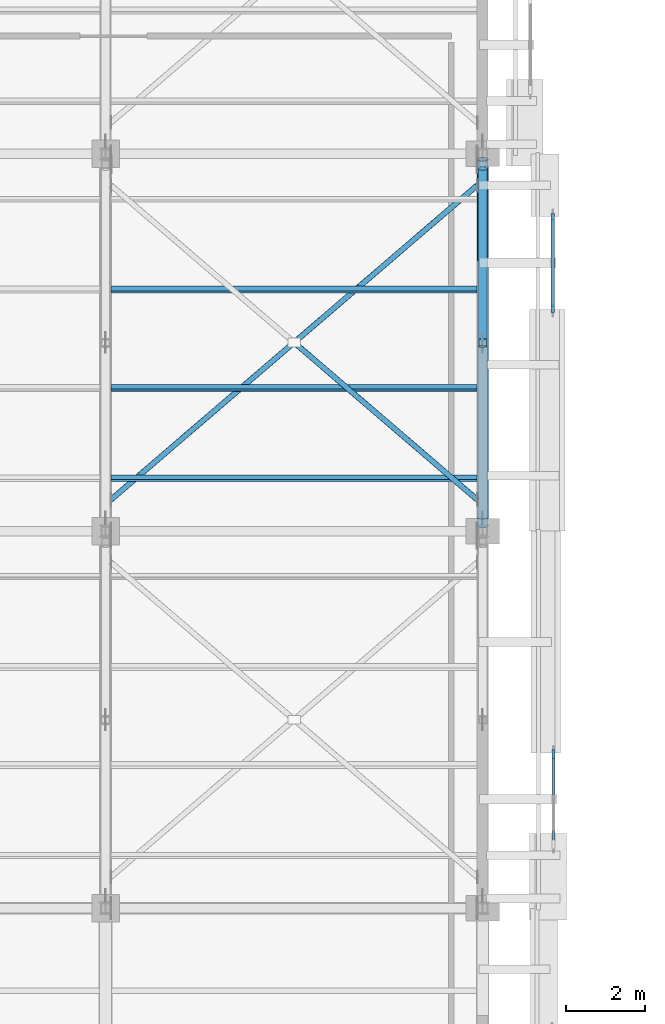
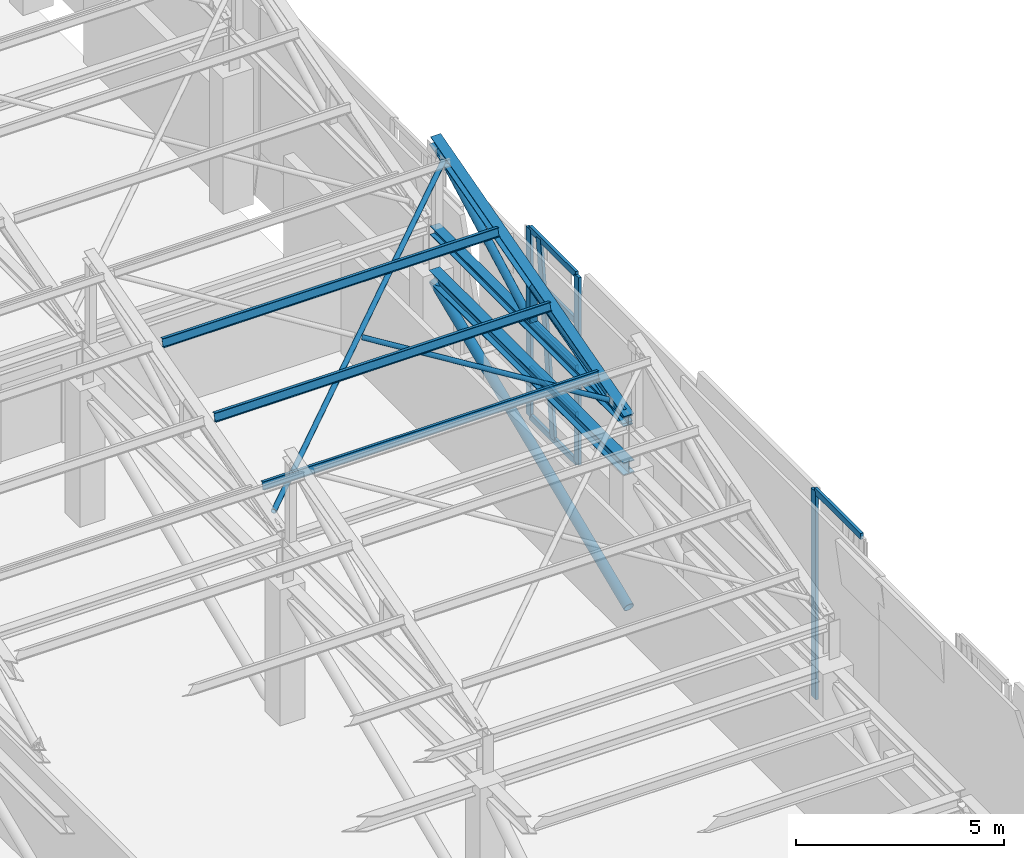
# One storey, part 20 of 71: 22 members, 2 elements without a shape of their own.
"""IFC4 building model written with IfcOpenShell, lengths in metres."""

from ifc_helpers import new_model, si_unit, direction, frame, origin, origin_2d, place, context, subcontext, project, spatial, rectangle, hollow_rectangle, hollow_circle, i_section, extrude, material, layer, layer_set, material_profile, profile_set, type_object, element, aggregate, save


model = new_model("IFC4")

# Units and contexts
model_context = context("Model", 3, precision=1e-05, world=origin(), true_north=direction((0.0, 1.0)))
body_context = subcontext(model_context, "Body", "Model", "MODEL_VIEW")
ifc_project = project(units=[si_unit("LENGTHUNIT", "METRE"), si_unit("AREAUNIT", "SQUARE_METRE"), si_unit("VOLUMEUNIT", "CUBIC_METRE"), si_unit("PLANEANGLEUNIT", "RADIAN"), si_unit("MASSUNIT", "GRAM", prefix="KILO")], contexts=[model_context])

# Site, building, storey
site_placement = place(None, origin())
site = spatial("IfcSite", under=ifc_project, at=site_placement, CompositionType="ELEMENT")
building_placement = place(site_placement, origin())
building = spatial("IfcBuilding", under=site, at=building_placement, Name="Bempovik Park Faculty of Sciences", CompositionType="ELEMENT")
storey_placement = place(building_placement, frame((0.0, 0.0, 14.10009765625)))
storey = spatial("IfcBuildingStorey", under=building, at=storey_placement, Name="L03", CompositionType="ELEMENT", Elevation=14.10009765625)

# Members
ifc_material_1 = material(Name="Steel S355", Category="steel")
ifc_material_profile_1 = material_profile(ifc_material_1, i_section(OverallWidth=0.110107421875, OverallDepth=0.219970703125, WebThickness=0.005859375, FlangeThickness=0.00927734375, at=origin_2d()), Name="IPE 220")
ifc_profile_set_1 = profile_set([ifc_material_profile_1], Name="Steel S355")
member_type_1 = type_object("IfcMemberType", Name="M-18 IPE 220", PredefinedType="PURLIN", material=ifc_profile_set_1)
member_1_placement = place(storey_placement, frame((108.14599609375, 30.743896484375, 5.847412109375), z_axis=(1.0, 0.0, 0.0), x_axis=(0.0, 0.965925826289, -0.258819045103)))
element("IfcMember", 1, at=member_1_placement, inside=storey, type_object=member_type_1, Name="Sawtooth Roof Purlin V1-B2 (108.0-117.6) #1", PredefinedType="PURLIN", context=body_context, shape_type="SweptSolid", body=[
    extrude(i_section(OverallWidth=0.110107421875, OverallDepth=0.219970703125, WebThickness=0.005859375, FlangeThickness=0.00927734375, at=origin_2d()), origin(), (0.0, 0.0, 1.0), 9.30810546875),
])
ifc_material_profile_2 = material_profile(ifc_material_1, hollow_circle(Radius=0.109619140625, WallThickness=0.010009765625, at=origin_2d()), Name="CHS 219.1x10")
ifc_profile_set_2 = profile_set([ifc_material_profile_2], Name="Steel S355")
member_type_2 = type_object("IfcMemberType", Name="M-22 CHS 219.1x10", PredefinedType="BRACE", material=ifc_profile_set_2)
member_2_placement = place(storey_placement, frame((117.60009765625, 34.304931640625, 5.285888671875), z_axis=(0.0, 0.882187464719, 0.470898372361), x_axis=(-1.0, 0.0, 0.0)))
element("IfcMember", 2, at=member_2_placement, inside=storey, type_object=member_type_2, Name="Sawtooth Web Diagonal 2 V1-B2 (117.6)", PredefinedType="BRACE", context=body_context, shape_type="SweptSolid", body=[
    extrude(hollow_circle(Radius=0.109619140625, WallThickness=0.010009765625, at=origin_2d()), origin(), (0.0, 0.0, 1.0), 4.902587890625),
])
ifc_material_profile_3 = material_profile(ifc_material_1, i_section(OverallWidth=0.300048828125, OverallDepth=0.360107421875, WebThickness=0.012451171875, FlangeThickness=0.0224609375, at=origin_2d()), Name="HEB 360")
ifc_profile_set_3 = profile_set([ifc_material_profile_3], Name="Steel S355")
member_type_3 = type_object("IfcMemberType", Name="M-23 HEB 360", PredefinedType="CHORD", material=ifc_profile_set_3)
member_3_placement = place(storey_placement, frame((117.60009765625, 29.531982421875, 3.7998046875), z_axis=(0.0, 1.0, 0.0), x_axis=(-1.0, 0.0, 0.0)))
element("IfcMember", 3, at=member_3_placement, inside=storey, type_object=member_type_3, Name="Cantilever Truss 7 Top Chord 4", PredefinedType="CHORD", context=body_context, shape_type="SweptSolid", body=[
    extrude(i_section(OverallWidth=0.300048828125, OverallDepth=0.360107421875, WebThickness=0.012451171875, FlangeThickness=0.0224609375, at=origin_2d()), origin(), (0.0, 0.0, 1.0), 9.3359375),
])
ifc_material_profile_4 = material_profile(ifc_material_1, i_section(OverallWidth=0.280029296875, OverallDepth=0.280029296875, WebThickness=0.010498046875, FlangeThickness=0.01806640625, at=origin_2d()), Name="HEB 280")
ifc_profile_set_4 = profile_set([ifc_material_profile_4], Name="Steel S355")
member_type_4 = type_object("IfcMemberType", Name="M-26 HEB 280", PredefinedType="CHORD", material=ifc_profile_set_4)
member_4_placement = place(storey_placement, frame((117.60009765625, 29.555908203125, 5.212158203125), z_axis=(0.0, 0.963725210394, 0.266896457173), x_axis=(-1.0, 0.0, 0.0)))
element("IfcMember", 4, at=member_4_placement, inside=storey, type_object=member_type_4, Name="Sawtooth Top Rafter Chord V1-B2 (117.6)", PredefinedType="CHORD", context=body_context, shape_type="SweptSolid", body=[
    extrude(i_section(OverallWidth=0.280029296875, OverallDepth=0.280029296875, WebThickness=0.010498046875, FlangeThickness=0.01806640625, at=origin_2d()), origin(), (0.0, 0.0, 1.0), 9.6376953125),
])
ifc_material_profile_5 = material_profile(ifc_material_1, hollow_rectangle(XDim=0.199951171875, YDim=0.199951171875, WallThickness=0.010009765625, at=origin_2d()), Name="SHS 200x200x10")
ifc_profile_set_5 = profile_set([ifc_material_profile_5], Name="Steel S355")
member_type_5 = type_object("IfcMemberType", Name="M-44 SHS 200x200x10", PredefinedType="POST", material=ifc_profile_set_5)
member_5_placement = place(storey_placement, frame((117.60009765625, 34.199951171875, 5.285888671875), z_axis=(0.0, 0.0, 1.0), x_axis=(1.0, 0.0, 0.0)))
element("IfcMember", 5, at=member_5_placement, inside=storey, type_object=member_type_5, Name="Sawtooth Mid Post V1-B2 (117.6)", PredefinedType="POST", context=body_context, shape_type="SweptSolid", body=[
    extrude(hollow_rectangle(XDim=0.199951171875, YDim=0.199951171875, WallThickness=0.010009765625, at=origin_2d()), origin(), (0.0, 0.0, 1.0), 1.052490234375),
])
ifc_material_profile_6 = material_profile(ifc_material_1, i_section(OverallWidth=0.260009765625, OverallDepth=0.260009765625, WebThickness=0.010009765625, FlangeThickness=0.017578125, at=origin_2d()), Name="HEB 260")
ifc_profile_set_6 = profile_set([ifc_material_profile_6], Name="Steel S355")
member_type_6 = type_object("IfcMemberType", Name="M-58 HEB 260", PredefinedType="CHORD", material=ifc_profile_set_6)
member_6_placement = place(storey_placement, frame((117.60009765625, 29.555908203125, 5.14990234375), z_axis=(0.0, 1.0, 0.0), x_axis=(-1.0, 0.0, 0.0)))
element("IfcMember", 6, at=member_6_placement, inside=storey, type_object=member_type_6, Name="Sawtooth Bottom Chord V1-B2 (117.6)", PredefinedType="CHORD", context=body_context, shape_type="SweptSolid", body=[
    extrude(i_section(OverallWidth=0.260009765625, OverallDepth=0.260009765625, WebThickness=0.010009765625, FlangeThickness=0.017578125, at=origin_2d()), origin(), (0.0, 0.0, 1.0), 9.2880859375),
])
ifc_material_profile_7 = material_profile(ifc_material_1, hollow_circle(Radius=0.136474609375, WallThickness=0.012451171875, at=origin_2d()), Name="CHS 273x12.5")
ifc_profile_set_7 = profile_set([ifc_material_profile_7], Name="Steel S355")
member_type_7 = type_object("IfcMemberType", Name="M-78 CHS 273x12.5", PredefinedType="BRACE", material=ifc_profile_set_7)
member_7_placement = place(storey_placement, frame((117.60009765625, 29.534912109375, -0.294189453125), z_axis=(0.0, 0.922349797611, 0.386355860377), x_axis=(-1.0, 0.0, 0.0)))
element("IfcMember", 7, at=member_7_placement, inside=storey, type_object=member_type_7, Name="Cantilever Truss 7 L03 Diagonal 4", PredefinedType="BRACE", context=body_context, shape_type="SweptSolid", body=[
    extrude(hollow_circle(Radius=0.136474609375, WallThickness=0.012451171875, at=origin_2d()), origin(), (0.0, 0.0, 1.0), 10.115478515625),
])
ifc_material_profile_8 = material_profile(ifc_material_1, hollow_circle(Radius=0.122314453125, WallThickness=0.010009765625, at=origin_2d()), Name="CHS 244.5x10")
ifc_profile_set_8 = profile_set([ifc_material_profile_8], Name="Steel S355")
member_type_8 = type_object("IfcMemberType", Name="M-82 CHS 244.5x10", PredefinedType="BRACE", material=ifc_profile_set_8)
member_8_placement = place(storey_placement, frame((117.60009765625, 29.72998046875, 5.285888671875), z_axis=(0.0, 0.972139485331, 0.234403116576), x_axis=(-1.0, 0.0, 0.0)))
element("IfcMember", 8, at=member_8_placement, inside=storey, type_object=member_type_8, Name="Sawtooth Web Diagonal 1 V1-B2 (117.6)", PredefinedType="BRACE", context=body_context, shape_type="SweptSolid", body=[
    extrude(hollow_circle(Radius=0.122314453125, WallThickness=0.010009765625, at=origin_2d()), origin(), (0.0, 0.0, 1.0), 4.489990234375),
])
ifc_material_profile_9 = material_profile(ifc_material_1, hollow_circle(Radius=0.06982421875, WallThickness=0.00634765625, at=origin_2d()), Name="CHS 139.7x6.3")
ifc_profile_set_9 = profile_set([ifc_material_profile_9], Name="Steel S355")
member_type_9 = type_object("IfcMemberType", Name="M-83 CHS 139.7x6.3", PredefinedType="BRACE", material=ifc_profile_set_9)
member_9_placement = place(storey_placement, frame((108.139892578125, 30.199951171875, 5.426513671875), z_axis=(0.747498624674, 0.641625014625, 0.171939369306), x_axis=(-0.651324847863, 0.758799013281, 0.0)))
element("IfcMember", 9, at=member_9_placement, inside=storey, type_object=member_type_9, Name="Sawtooth Continuous Roof X-Brace V1-B2 (108.0-117.6)", PredefinedType="BRACE", context=body_context, shape_type="SweptSolid", body=[
    extrude(hollow_circle(Radius=0.06982421875, WallThickness=0.00634765625, at=origin_2d()), origin(), (0.0, 0.0, 1.0), 12.46826171875),
])
member_10_placement = place(storey_placement, frame((112.8671875, 34.142333984375, 6.48291015625), z_axis=(0.747490158812, -0.641636778891, -0.171932272867), x_axis=(0.651335971051, 0.758789465408, 0.0)))
element("IfcMember", 10, at=member_10_placement, inside=storey, type_object=member_type_9, Name="Sawtooth Split X-Brace Half B V1-B2 (108.0-117.6)", PredefinedType="BRACE", context=body_context, shape_type="SweptSolid", body=[
    extrude(hollow_circle(Radius=0.06982421875, WallThickness=0.00634765625, at=origin_2d()), origin(), (0.0, 0.0, 1.0), 6.144287109375),
])
ifc_material_profile_10 = material_profile(ifc_material_1, i_section(OverallWidth=0.1201171875, OverallDepth=0.239990234375, WebThickness=0.006103515625, FlangeThickness=0.009765625, at=origin_2d()), Name="IPE 240")
ifc_profile_set_10 = profile_set([ifc_material_profile_10], Name="Steel S355")
member_type_10 = type_object("IfcMemberType", Name="M-86 IPE 240", PredefinedType="PURLIN", material=ifc_profile_set_10)
for number, where, z_axis, x_axis, name in (
    (11, (108.14599609375, 33.048095703125, 6.45458984375), (1.0, 0.0, 0.0), (0.0, 0.965925826289, -0.258819045103), "Sawtooth Roof Purlin V1-B2 (108.0-117.6) #2"),
    (12, (108.14599609375, 35.5439453125, 7.12353515625), (1.0, 0.0, 0.0), (0.0, 0.965925826289, -0.258819045103), "Sawtooth Roof Purlin V1-B2 (108.0-117.6) #3"),
):
    element("IfcMember", number, at=place(storey_placement, frame(where, z_axis=z_axis, x_axis=x_axis)), inside=storey, type_object=member_type_10, Name=name, PredefinedType="PURLIN", context=body_context, shape_type="SweptSolid", body=[
        extrude(i_section(OverallWidth=0.1201171875, OverallDepth=0.239990234375, WebThickness=0.006103515625, FlangeThickness=0.009765625, at=origin_2d()), origin(), (0.0, 0.0, 1.0), 9.30810546875),
    ])

# Curtain wall, member
ifc_material_2 = material(Name="Tempered laminated low-E glass", Category="glass")
ifc_layer = layer(ifc_material_2, 0.159912109375)
ifc_layer_set = layer_set([ifc_layer], Name="Tempered laminated low-E glass")
curtain_wall_type = type_object("IfcCurtainWallType", Name="CW-33 Curtain 2400x4000", PredefinedType="USERDEFINED", material=ifc_layer_set)
curtain_wall_1_placement = place(storey_placement, origin())
curtain_wall_1 = element("IfcCurtainWall", 13, at=curtain_wall_1_placement, inside=storey, type_object=curtain_wall_type, Name="L03 Crystal Slantwise Light Fold (117.6,19.8)", ObjectType="UNITISED CURTAIN WALL", PredefinedType="USERDEFINED")
ifc_material_3 = material(Name="Anodised architectural bronze", Category="aluminium")
ifc_material_profile_11 = material_profile(ifc_material_3, rectangle(XDim=0.080078125, YDim=0.219970703125, at=origin_2d()), Name="ALU-M 80x220")
ifc_profile_set_11 = profile_set([ifc_material_profile_11], Name="Anodised architectural bronze")
member_type_11 = type_object("IfcMemberType", Name="ML-29 ALU-M 80x220", PredefinedType="MULLION", material=ifc_profile_set_11)
member_11_placement = place(storey_placement, frame((119.402587890625, 23.72509765625, -0.0400390625), z_axis=(0.0, 0.0, 1.0), x_axis=(1.0, 0.0, 0.0)))
member_11 = element("IfcMember", 14, at=member_11_placement, type_object=member_type_11, Name="CW-FOLD-L03-1176-198 Mullion 2", PredefinedType="MULLION", context=body_context, shape_type="SweptSolid", body=[
    extrude(rectangle(XDim=0.080078125, YDim=0.219970703125, at=origin_2d()), origin(), (0.0, 0.0, 1.0), 6.08984375),
])

# Curtain wall, members
curtain_wall_2_placement = place(storey_placement, origin())
curtain_wall_2 = element("IfcCurtainWall", 15, at=curtain_wall_2_placement, inside=storey, type_object=curtain_wall_type, Name="L03 Crystal Slantwise Light Fold (117.6,29.4)", ObjectType="UNITISED CURTAIN WALL", PredefinedType="USERDEFINED")
member_12_placement = place(storey_placement, frame((119.382080078125, 35.074951171875, -0.0400390625), z_axis=(0.0, 0.0, 1.0), x_axis=(1.0, 0.0, 0.0)))
member_12 = element("IfcMember", 16, at=member_12_placement, type_object=member_type_11, Name="CW-FOLD-L03-1176-294 Mullion 0", PredefinedType="MULLION", context=body_context, shape_type="SweptSolid", body=[
    extrude(rectangle(XDim=0.080078125, YDim=0.219970703125, at=origin_2d()), origin(), (0.0, 0.0, 1.0), 5.489990234375),
])
member_13_placement = place(storey_placement, frame((119.382080078125, 36.22509765625, -0.0400390625), z_axis=(0.0, 0.122910283031, 0.992417786179), x_axis=(-1.0, 0.0, 0.0)))
member_13 = element("IfcMember", 17, at=member_13_placement, type_object=member_type_11, Name="CW-FOLD-L03-1176-294 Mullion 1", PredefinedType="MULLION", context=body_context, shape_type="SweptSolid", body=[
    extrude(rectangle(XDim=0.080078125, YDim=0.219970703125, at=origin_2d()), origin(), (0.0, 0.0, 1.0), 5.531982421875),
])
member_14_placement = place(storey_placement, frame((119.382080078125, 37.375, -0.0400390625), z_axis=(0.0, 0.0, 1.0), x_axis=(1.0, 0.0, 0.0)))
member_14 = element("IfcMember", 18, at=member_14_placement, type_object=member_type_11, Name="CW-FOLD-L03-1176-294 Mullion 2", PredefinedType="MULLION", context=body_context, shape_type="SweptSolid", body=[
    extrude(rectangle(XDim=0.080078125, YDim=0.219970703125, at=origin_2d()), origin(), (0.0, 0.0, 1.0), 5.489990234375),
])

# Member
ifc_material_profile_12 = material_profile(ifc_material_3, rectangle(XDim=0.080078125, YDim=0.179931640625, at=origin_2d()), Name="ALU-T 80x180")
ifc_profile_set_12 = profile_set([ifc_material_profile_12], Name="Anodised architectural bronze")
member_type_12 = type_object("IfcMemberType", Name="TR-29 ALU-T 80x180", PredefinedType="USERDEFINED", material=ifc_profile_set_12)
member_15_placement = place(storey_placement, frame((119.402587890625, 21.465087890625, 6.0498046875), z_axis=(0.0, 1.0, 0.0), x_axis=(-1.0, 0.0, 0.0)))
member_15 = element("IfcMember", 19, at=member_15_placement, type_object=member_type_12, Name="CW-FOLD-L03-1176-198 Transom 4", ObjectType="TRANSOM", PredefinedType="USERDEFINED", context=body_context, shape_type="SweptSolid", body=[
    extrude(rectangle(XDim=0.080078125, YDim=0.179931640625, at=origin_2d()), origin(), (0.0, 0.0, 1.0), 2.219970703125),
])

aggregate(curtain_wall_1, [member_11, member_15])

member_16_placement = place(storey_placement, frame((119.382080078125, 35.114990234375, -0.0400390625), z_axis=(0.0, 1.0, 0.0), x_axis=(-1.0, 0.0, 0.0)))
member_16 = element("IfcMember", 20, at=member_16_placement, type_object=member_type_12, Name="CW-FOLD-L03-1176-294 Transom 0", ObjectType="TRANSOM", PredefinedType="USERDEFINED", context=body_context, shape_type="SweptSolid", body=[
    extrude(rectangle(XDim=0.080078125, YDim=0.179931640625, at=origin_2d()), origin(), (0.0, 0.0, 1.0), 2.219970703125),
])

member_17_placement = place(storey_placement, frame((119.382080078125, 35.114990234375, 1.33251953125), z_axis=(0.0, 1.0, 0.0), x_axis=(-1.0, 0.0, 0.0)))
member_17 = element("IfcMember", 21, at=member_17_placement, type_object=member_type_12, Name="CW-FOLD-L03-1176-294 Transom 1", ObjectType="TRANSOM", PredefinedType="USERDEFINED", context=body_context, shape_type="SweptSolid", body=[
    extrude(rectangle(XDim=0.080078125, YDim=0.179931640625, at=origin_2d()), origin(), (0.0, 0.0, 1.0), 2.219970703125),
])

member_18_placement = place(storey_placement, frame((119.382080078125, 35.114990234375, 2.704833984375), z_axis=(0.0, 1.0, 0.0), x_axis=(-1.0, 0.0, 0.0)))
member_18 = element("IfcMember", 22, at=member_18_placement, type_object=member_type_12, Name="CW-FOLD-L03-1176-294 Transom 2", ObjectType="TRANSOM", PredefinedType="USERDEFINED", context=body_context, shape_type="SweptSolid", body=[
    extrude(rectangle(XDim=0.080078125, YDim=0.179931640625, at=origin_2d()), origin(), (0.0, 0.0, 1.0), 2.219970703125),
])

member_19_placement = place(storey_placement, frame((119.382080078125, 35.114990234375, 4.077392578125), z_axis=(0.0, 1.0, 0.0), x_axis=(-1.0, 0.0, 0.0)))
member_19 = element("IfcMember", 23, at=member_19_placement, type_object=member_type_12, Name="CW-FOLD-L03-1176-294 Transom 3", ObjectType="TRANSOM", PredefinedType="USERDEFINED", context=body_context, shape_type="SweptSolid", body=[
    extrude(rectangle(XDim=0.080078125, YDim=0.179931640625, at=origin_2d()), origin(), (0.0, 0.0, 1.0), 2.219970703125),
])

member_20_placement = place(storey_placement, frame((119.382080078125, 35.114990234375, 5.449951171875), z_axis=(0.0, 1.0, 0.0), x_axis=(-1.0, 0.0, 0.0)))
member_20 = element("IfcMember", 24, at=member_20_placement, type_object=member_type_12, Name="CW-FOLD-L03-1176-294 Transom 4", ObjectType="TRANSOM", PredefinedType="USERDEFINED", context=body_context, shape_type="SweptSolid", body=[
    extrude(rectangle(XDim=0.080078125, YDim=0.179931640625, at=origin_2d()), origin(), (0.0, 0.0, 1.0), 2.219970703125),
])

aggregate(curtain_wall_2, [member_12, member_13, member_14, member_16, member_17, member_18, member_19, member_20])

save(model, "model.ifc")
